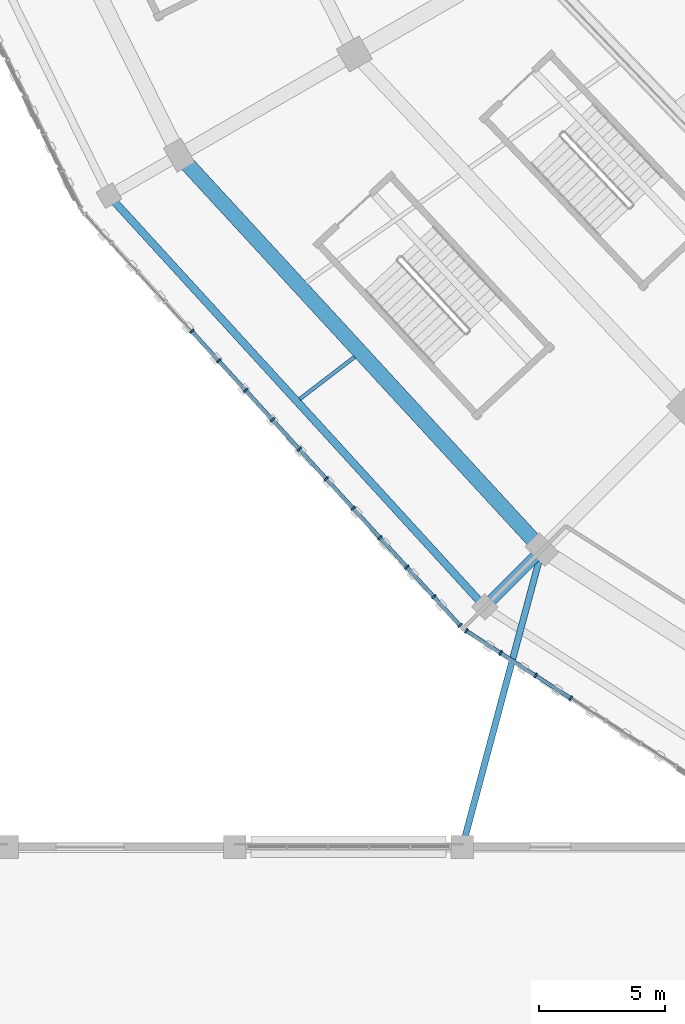
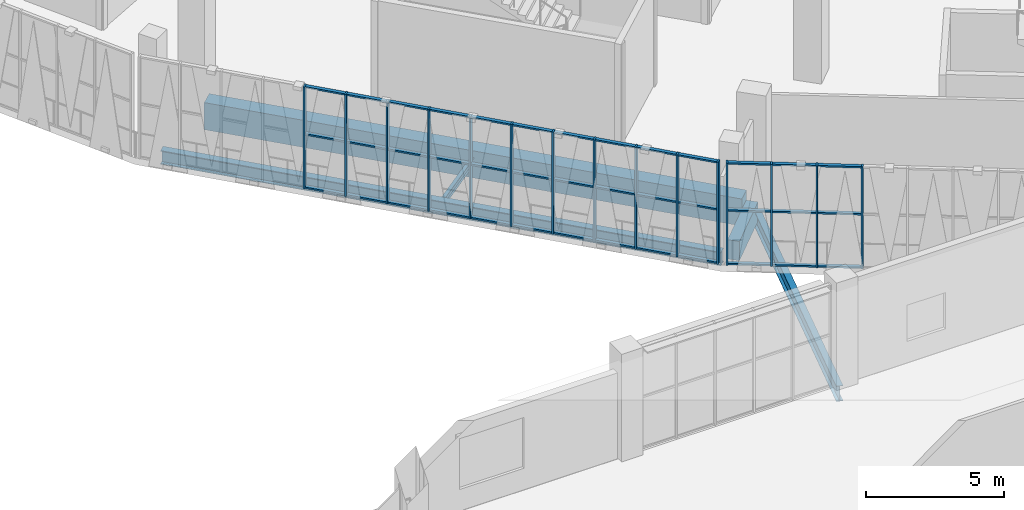
# One storey, part 9 of 183: 54 members, 5 beams, 2 elements without a shape of their own.
"""IFC4 building model written with IfcOpenShell, lengths in metres."""

from ifc_helpers import new_model, si_unit, direction, frame, origin, origin_2d, place, context, subcontext, project, spatial, rectangle, i_section, extrude, material, material_profile, profile_set, type_object, element, aggregate, save


model = new_model("IFC4")

# Units and contexts
model_context = context("Model", 3, precision=1e-05, world=origin(), true_north=direction((0.0, 1.0)))
body_context = subcontext(model_context, "Body", "Model", "MODEL_VIEW")
ifc_project = project(units=[si_unit("LENGTHUNIT", "METRE"), si_unit("AREAUNIT", "SQUARE_METRE"), si_unit("VOLUMEUNIT", "CUBIC_METRE"), si_unit("PLANEANGLEUNIT", "RADIAN"), si_unit("MASSUNIT", "GRAM", prefix="KILO")], contexts=[model_context])

# Site, building, storey
site_placement = place(None, origin())
site = spatial("IfcSite", under=ifc_project, at=site_placement, CompositionType="ELEMENT")
building_placement = place(site_placement, origin())
building = spatial("IfcBuilding", under=site, at=building_placement, Name="Zevraka Park Crest Stadium", CompositionType="ELEMENT")
storey_placement = place(building_placement, frame((0.0, 0.0, 5.39990234375)))
storey = spatial("IfcBuildingStorey", under=building, at=storey_placement, Name="L01", CompositionType="ELEMENT", Elevation=5.39990234375)

# Beams
ifc_material_1 = material(Name="Concrete C40/50", Category="concrete")
ifc_material_profile_1 = material_profile(ifc_material_1, rectangle(XDim=0.449951171875, YDim=0.85009765625, at=origin_2d()), Name="RC 850x450")
ifc_profile_set_1 = profile_set([ifc_material_profile_1], Name="Concrete C40/50")
beam_type_1 = type_object("IfcBeamType", Name="BG03", PredefinedType="BEAM", material=ifc_profile_set_1)
beam_1_placement = place(storey_placement, frame((47.93603515625, 38.54296875, -0.434814453125), z_axis=(-0.706965918589, -0.707247615728, 0.0), x_axis=(0.707247615728, -0.706965918589, 0.0)))
element("IfcBeam", 1, at=beam_1_placement, inside=storey, type_object=beam_type_1, Name="Radial Girder BG03 L01-DE-15", PredefinedType="BEAM", context=body_context, shape_type="SweptSolid", body=[
    extrude(rectangle(XDim=0.449951171875, YDim=0.85009765625, at=origin_2d()), origin(), (0.0, 0.0, 1.0), 2.60009765625),
])
ifc_material_2 = material(Name="Steel S355", Category="steel")
ifc_material_profile_2 = material_profile(ifc_material_2, i_section(OverallWidth=0.253662109375, OverallDepth=0.68359375, WebThickness=0.012451171875, FlangeThickness=0.01904296875, at=origin_2d()), Name="UKB 686x254x140")
ifc_profile_set_2 = profile_set([ifc_material_profile_2], Name="Steel S355")
beam_type_2 = type_object("IfcBeamType", Name="BG05", PredefinedType="BEAM", material=ifc_profile_set_2)
beam_2_placement = place(storey_placement, frame((45.052001953125, 27.193115234375, -0.649658203125), z_axis=(0.25869045552, 0.96596027259, 0.0), x_axis=(-0.96596027259, 0.25869045552, 0.0)))
element("IfcBeam", 2, at=beam_2_placement, inside=storey, type_object=beam_type_2, Name="Wing Link Girder BG05 L01-6/D", PredefinedType="BEAM", context=body_context, shape_type="SweptSolid", body=[
    extrude(i_section(OverallWidth=0.253662109375, OverallDepth=0.68359375, WebThickness=0.012451171875, FlangeThickness=0.01904296875, at=origin_2d()), origin(), (0.0, 0.0, 1.0), 11.58935546875),
])

# Curtain wall, members
ifc_material_3 = material(Name="Anodised architectural aluminium and laminated safety glass", Category="aluminium")
curtain_wall_type = type_object("IfcCurtainWallType", Name="CW03", PredefinedType="NOTDEFINED", material=ifc_material_3)
curtain_wall_1_placement = place(storey_placement, origin())
curtain_wall_1 = element("IfcCurtainWall", 3, at=curtain_wall_1_placement, inside=storey, type_object=curtain_wall_type, Name="Unitised Ring Curtain Wall CW03 L01-14", PredefinedType="NOTDEFINED")
ifc_material_4 = material(Name="Anodised architectural aluminium", Category="aluminium")
ifc_material_profile_3 = material_profile(ifc_material_4, rectangle(XDim=0.199951171875, YDim=0.070068359375, at=origin_2d()), Name="ALU MULLION 200x70")
ifc_profile_set_3 = profile_set([ifc_material_profile_3], Name="Anodised architectural aluminium")
member_type_1 = type_object("IfcMemberType", Name="CM03", PredefinedType="MULLION", material=ifc_profile_set_3)
member_1_placement = place(storey_placement, frame((34.3046875, 47.38720703125, 0.0), z_axis=(0.0, 0.0, 1.0), x_axis=(0.739023476371, 0.673679672672, 0.0)))
member_1 = element("IfcMember", 4, at=member_1_placement, type_object=member_type_1, Name="CW03 mullion 5", PredefinedType="MULLION", context=body_context, shape_type="SweptSolid", body=[
    extrude(rectangle(XDim=0.199951171875, YDim=0.070068359375, at=origin_2d()), origin(), (0.0, 0.0, 1.0), 4.52001953125),
])
member_2_placement = place(storey_placement, frame((35.3671875, 46.221435546875, 0.0), z_axis=(0.0, 0.0, 1.0), x_axis=(0.739023476371, 0.673679672672, 0.0)))
member_2 = element("IfcMember", 5, at=member_2_placement, type_object=member_type_1, Name="CW03 mullion 6", PredefinedType="MULLION", context=body_context, shape_type="SweptSolid", body=[
    extrude(rectangle(XDim=0.199951171875, YDim=0.070068359375, at=origin_2d()), origin(), (0.0, 0.0, 1.0), 4.52001953125),
])
member_3_placement = place(storey_placement, frame((36.429931640625, 45.0556640625, 0.0), z_axis=(0.0, 0.0, 1.0), x_axis=(0.739023476371, 0.673679672672, 0.0)))
member_3 = element("IfcMember", 6, at=member_3_placement, type_object=member_type_1, Name="CW03 mullion 7", PredefinedType="MULLION", context=body_context, shape_type="SweptSolid", body=[
    extrude(rectangle(XDim=0.199951171875, YDim=0.070068359375, at=origin_2d()), origin(), (0.0, 0.0, 1.0), 4.52001953125),
])
member_4_placement = place(storey_placement, frame((37.492431640625, 43.889892578125, 0.0), z_axis=(0.0, 0.0, 1.0), x_axis=(0.739023476371, 0.673679672672, 0.0)))
member_4 = element("IfcMember", 7, at=member_4_placement, type_object=member_type_1, Name="CW03 mullion 8", PredefinedType="MULLION", context=body_context, shape_type="SweptSolid", body=[
    extrude(rectangle(XDim=0.199951171875, YDim=0.070068359375, at=origin_2d()), origin(), (0.0, 0.0, 1.0), 4.52001953125),
])
member_5_placement = place(storey_placement, frame((38.55517578125, 42.724365234375, 0.0), z_axis=(0.0, 0.0, 1.0), x_axis=(0.739023476371, 0.673679672672, 0.0)))
member_5 = element("IfcMember", 8, at=member_5_placement, type_object=member_type_1, Name="CW03 mullion 9", PredefinedType="MULLION", context=body_context, shape_type="SweptSolid", body=[
    extrude(rectangle(XDim=0.199951171875, YDim=0.070068359375, at=origin_2d()), origin(), (0.0, 0.0, 1.0), 4.52001953125),
])
member_6_placement = place(storey_placement, frame((39.61767578125, 41.55859375, 0.0), z_axis=(0.0, 0.0, 1.0), x_axis=(0.739023476371, 0.673679672672, 0.0)))
member_6 = element("IfcMember", 9, at=member_6_placement, type_object=member_type_1, Name="CW03 mullion 10", PredefinedType="MULLION", context=body_context, shape_type="SweptSolid", body=[
    extrude(rectangle(XDim=0.199951171875, YDim=0.070068359375, at=origin_2d()), origin(), (0.0, 0.0, 1.0), 4.52001953125),
])
member_7_placement = place(storey_placement, frame((40.680419921875, 40.392822265625, 0.0), z_axis=(0.0, 0.0, 1.0), x_axis=(0.739023476371, 0.673679672672, 0.0)))
member_7 = element("IfcMember", 10, at=member_7_placement, type_object=member_type_1, Name="CW03 mullion 11", PredefinedType="MULLION", context=body_context, shape_type="SweptSolid", body=[
    extrude(rectangle(XDim=0.199951171875, YDim=0.070068359375, at=origin_2d()), origin(), (0.0, 0.0, 1.0), 4.52001953125),
])
member_8_placement = place(storey_placement, frame((41.7431640625, 39.22705078125, 0.0), z_axis=(0.0, 0.0, 1.0), x_axis=(0.739023476371, 0.673679672672, 0.0)))
member_8 = element("IfcMember", 11, at=member_8_placement, type_object=member_type_1, Name="CW03 mullion 12", PredefinedType="MULLION", context=body_context, shape_type="SweptSolid", body=[
    extrude(rectangle(XDim=0.199951171875, YDim=0.070068359375, at=origin_2d()), origin(), (0.0, 0.0, 1.0), 4.52001953125),
])
member_9_placement = place(storey_placement, frame((42.8056640625, 38.0615234375, 0.0), z_axis=(0.0, 0.0, 1.0), x_axis=(0.739023476371, 0.673679672672, 0.0)))
member_9 = element("IfcMember", 12, at=member_9_placement, type_object=member_type_1, Name="CW03 mullion 13", PredefinedType="MULLION", context=body_context, shape_type="SweptSolid", body=[
    extrude(rectangle(XDim=0.199951171875, YDim=0.070068359375, at=origin_2d()), origin(), (0.0, 0.0, 1.0), 4.52001953125),
])
member_10_placement = place(storey_placement, frame((43.868408203125, 36.895751953125, 0.0), z_axis=(0.0, 0.0, 1.0), x_axis=(0.739023476371, 0.673679672672, 0.0)))
member_10 = element("IfcMember", 13, at=member_10_placement, type_object=member_type_1, Name="CW03 mullion 14", PredefinedType="MULLION", context=body_context, shape_type="SweptSolid", body=[
    extrude(rectangle(XDim=0.199951171875, YDim=0.070068359375, at=origin_2d()), origin(), (0.0, 0.0, 1.0), 4.52001953125),
])
member_11_placement = place(storey_placement, frame((44.907470703125, 35.755859375, 0.0), z_axis=(0.0, 0.0, 1.0), x_axis=(0.739023476371, 0.673679672672, 0.0)))
member_11 = element("IfcMember", 14, at=member_11_placement, type_object=member_type_1, Name="CW03 mullion 15", PredefinedType="MULLION", context=body_context, shape_type="SweptSolid", body=[
    extrude(rectangle(XDim=0.199951171875, YDim=0.070068359375, at=origin_2d()), origin(), (0.0, 0.0, 1.0), 4.52001953125),
])

curtain_wall_2_placement = place(storey_placement, origin())
curtain_wall_2 = element("IfcCurtainWall", 15, at=curtain_wall_2_placement, inside=storey, type_object=curtain_wall_type, Name="Unitised Ring Curtain Wall CW03 L01-15", PredefinedType="NOTDEFINED")
member_12_placement = place(storey_placement, frame((45.156494140625, 35.544921875, 0.0), z_axis=(0.0, 0.0, 1.0), x_axis=(0.542570628938, 0.840010186018, 0.0)))
member_12 = element("IfcMember", 16, at=member_12_placement, type_object=member_type_1, Name="CW03 mullion 1", PredefinedType="MULLION", context=body_context, shape_type="SweptSolid", body=[
    extrude(rectangle(XDim=0.199951171875, YDim=0.070068359375, at=origin_2d()), origin(), (0.0, 0.0, 1.0), 4.52001953125),
])
member_13_placement = place(storey_placement, frame((46.5126953125, 34.6689453125, 0.0), z_axis=(0.0, 0.0, 1.0), x_axis=(0.542570628938, 0.840010186018, 0.0)))
member_13 = element("IfcMember", 17, at=member_13_placement, type_object=member_type_1, Name="CW03 mullion 2", PredefinedType="MULLION", context=body_context, shape_type="SweptSolid", body=[
    extrude(rectangle(XDim=0.199951171875, YDim=0.070068359375, at=origin_2d()), origin(), (0.0, 0.0, 1.0), 4.52001953125),
])
member_14_placement = place(storey_placement, frame((47.898193359375, 33.77392578125, 0.0), z_axis=(0.0, 0.0, 1.0), x_axis=(0.542570628938, 0.840010186018, 0.0)))
member_14 = element("IfcMember", 18, at=member_14_placement, type_object=member_type_1, Name="CW03 mullion 3", PredefinedType="MULLION", context=body_context, shape_type="SweptSolid", body=[
    extrude(rectangle(XDim=0.199951171875, YDim=0.070068359375, at=origin_2d()), origin(), (0.0, 0.0, 1.0), 4.52001953125),
])
member_15_placement = place(storey_placement, frame((49.283935546875, 32.87890625, 0.0), z_axis=(0.0, 0.0, 1.0), x_axis=(0.542570628938, 0.840010186018, 0.0)))
member_15 = element("IfcMember", 19, at=member_15_placement, type_object=member_type_1, Name="CW03 mullion 4", PredefinedType="MULLION", context=body_context, shape_type="SweptSolid", body=[
    extrude(rectangle(XDim=0.199951171875, YDim=0.070068359375, at=origin_2d()), origin(), (0.0, 0.0, 1.0), 4.52001953125),
])

# Member
ifc_material_5 = material(Name="Anodised architectural aluminium", Category="aluminium")
ifc_material_profile_4 = material_profile(ifc_material_5, rectangle(XDim=0.14990234375, YDim=0.070068359375, at=origin_2d()), Name="ALU TRANSOM 150x70")
ifc_profile_set_4 = profile_set([ifc_material_profile_4], Name="Anodised architectural aluminium")
member_type_2 = type_object("IfcMemberType", Name="CT03", PredefinedType="USERDEFINED", material=ifc_profile_set_4)
member_16_placement = place(storey_placement, frame((34.328125, 47.361328125, 0.03515625), z_axis=(0.673720043681, -0.738986672913, 0.0), x_axis=(0.738986672913, 0.673720043681, 0.0)))
member_16 = element("IfcMember", 20, at=member_16_placement, type_object=member_type_2, Name="CW03 transom 5.1", ObjectType="TRANSOM", PredefinedType="USERDEFINED", context=body_context, shape_type="SweptSolid", body=[
    extrude(rectangle(XDim=0.14990234375, YDim=0.070068359375, at=origin_2d()), origin(), (0.0, 0.0, 1.0), 1.507568359375),
])

member_17_placement = place(storey_placement, frame((34.328125, 47.361328125, 2.400146484375), z_axis=(0.673720043681, -0.738986672913, 0.0), x_axis=(0.738986672913, 0.673720043681, 0.0)))
member_17 = element("IfcMember", 21, at=member_17_placement, type_object=member_type_2, Name="CW03 transom 5.2", ObjectType="TRANSOM", PredefinedType="USERDEFINED", context=body_context, shape_type="SweptSolid", body=[
    extrude(rectangle(XDim=0.14990234375, YDim=0.070068359375, at=origin_2d()), origin(), (0.0, 0.0, 1.0), 1.507568359375),
])

member_18_placement = place(storey_placement, frame((34.328125, 47.361328125, 4.485107421875), z_axis=(0.673720043681, -0.738986672913, 0.0), x_axis=(0.738986672913, 0.673720043681, 0.0)))
member_18 = element("IfcMember", 22, at=member_18_placement, type_object=member_type_2, Name="CW03 transom 5.3", ObjectType="TRANSOM", PredefinedType="USERDEFINED", context=body_context, shape_type="SweptSolid", body=[
    extrude(rectangle(XDim=0.14990234375, YDim=0.070068359375, at=origin_2d()), origin(), (0.0, 0.0, 1.0), 1.507568359375),
])

member_19_placement = place(storey_placement, frame((35.390869140625, 46.195556640625, 0.03515625), z_axis=(0.673631587043, -0.739067307448, 0.0), x_axis=(0.739067307448, 0.673631587043, 0.0)))
member_19 = element("IfcMember", 23, at=member_19_placement, type_object=member_type_2, Name="CW03 transom 6.1", ObjectType="TRANSOM", PredefinedType="USERDEFINED", context=body_context, shape_type="SweptSolid", body=[
    extrude(rectangle(XDim=0.14990234375, YDim=0.070068359375, at=origin_2d()), origin(), (0.0, 0.0, 1.0), 1.50732421875),
])

member_20_placement = place(storey_placement, frame((35.390869140625, 46.195556640625, 2.400146484375), z_axis=(0.673631587043, -0.739067307448, 0.0), x_axis=(0.739067307448, 0.673631587043, 0.0)))
member_20 = element("IfcMember", 24, at=member_20_placement, type_object=member_type_2, Name="CW03 transom 6.2", ObjectType="TRANSOM", PredefinedType="USERDEFINED", context=body_context, shape_type="SweptSolid", body=[
    extrude(rectangle(XDim=0.14990234375, YDim=0.070068359375, at=origin_2d()), origin(), (0.0, 0.0, 1.0), 1.50732421875),
])

member_21_placement = place(storey_placement, frame((35.390869140625, 46.195556640625, 4.485107421875), z_axis=(0.673631587043, -0.739067307448, 0.0), x_axis=(0.739067307448, 0.673631587043, 0.0)))
member_21 = element("IfcMember", 25, at=member_21_placement, type_object=member_type_2, Name="CW03 transom 6.3", ObjectType="TRANSOM", PredefinedType="USERDEFINED", context=body_context, shape_type="SweptSolid", body=[
    extrude(rectangle(XDim=0.14990234375, YDim=0.070068359375, at=origin_2d()), origin(), (0.0, 0.0, 1.0), 1.50732421875),
])

member_22_placement = place(storey_placement, frame((36.453369140625, 45.02978515625, 0.03515625), z_axis=(0.673720043681, -0.738986672913, 0.0), x_axis=(0.738986672913, 0.673720043681, 0.0)))
member_22 = element("IfcMember", 26, at=member_22_placement, type_object=member_type_2, Name="CW03 transom 7.1", ObjectType="TRANSOM", PredefinedType="USERDEFINED", context=body_context, shape_type="SweptSolid", body=[
    extrude(rectangle(XDim=0.14990234375, YDim=0.070068359375, at=origin_2d()), origin(), (0.0, 0.0, 1.0), 1.507568359375),
])

member_23_placement = place(storey_placement, frame((36.453369140625, 45.02978515625, 2.400146484375), z_axis=(0.673720043681, -0.738986672913, 0.0), x_axis=(0.738986672913, 0.673720043681, 0.0)))
member_23 = element("IfcMember", 27, at=member_23_placement, type_object=member_type_2, Name="CW03 transom 7.2", ObjectType="TRANSOM", PredefinedType="USERDEFINED", context=body_context, shape_type="SweptSolid", body=[
    extrude(rectangle(XDim=0.14990234375, YDim=0.070068359375, at=origin_2d()), origin(), (0.0, 0.0, 1.0), 1.507568359375),
])

member_24_placement = place(storey_placement, frame((36.453369140625, 45.02978515625, 4.485107421875), z_axis=(0.673720043681, -0.738986672913, 0.0), x_axis=(0.738986672913, 0.673720043681, 0.0)))
member_24 = element("IfcMember", 28, at=member_24_placement, type_object=member_type_2, Name="CW03 transom 7.3", ObjectType="TRANSOM", PredefinedType="USERDEFINED", context=body_context, shape_type="SweptSolid", body=[
    extrude(rectangle(XDim=0.14990234375, YDim=0.070068359375, at=origin_2d()), origin(), (0.0, 0.0, 1.0), 1.507568359375),
])

member_25_placement = place(storey_placement, frame((37.51611328125, 43.864013671875, 0.03515625), z_axis=(0.673712230725, -0.73899379576, 0.0), x_axis=(0.73899379576, 0.673712230725, 0.0)))
member_25 = element("IfcMember", 29, at=member_25_placement, type_object=member_type_2, Name="CW03 transom 8.1", ObjectType="TRANSOM", PredefinedType="USERDEFINED", context=body_context, shape_type="SweptSolid", body=[
    extrude(rectangle(XDim=0.14990234375, YDim=0.070068359375, at=origin_2d()), origin(), (0.0, 0.0, 1.0), 1.507080078125),
])

member_26_placement = place(storey_placement, frame((37.51611328125, 43.864013671875, 2.400146484375), z_axis=(0.673712230725, -0.73899379576, 0.0), x_axis=(0.73899379576, 0.673712230725, 0.0)))
member_26 = element("IfcMember", 30, at=member_26_placement, type_object=member_type_2, Name="CW03 transom 8.2", ObjectType="TRANSOM", PredefinedType="USERDEFINED", context=body_context, shape_type="SweptSolid", body=[
    extrude(rectangle(XDim=0.14990234375, YDim=0.070068359375, at=origin_2d()), origin(), (0.0, 0.0, 1.0), 1.507080078125),
])

member_27_placement = place(storey_placement, frame((37.51611328125, 43.864013671875, 4.485107421875), z_axis=(0.673712230725, -0.73899379576, 0.0), x_axis=(0.73899379576, 0.673712230725, 0.0)))
member_27 = element("IfcMember", 31, at=member_27_placement, type_object=member_type_2, Name="CW03 transom 8.3", ObjectType="TRANSOM", PredefinedType="USERDEFINED", context=body_context, shape_type="SweptSolid", body=[
    extrude(rectangle(XDim=0.14990234375, YDim=0.070068359375, at=origin_2d()), origin(), (0.0, 0.0, 1.0), 1.507080078125),
])

member_28_placement = place(storey_placement, frame((38.57861328125, 42.698486328125, 0.03515625), z_axis=(0.673720043681, -0.738986672913, 0.0), x_axis=(0.738986672913, 0.673720043681, 0.0)))
member_28 = element("IfcMember", 32, at=member_28_placement, type_object=member_type_2, Name="CW03 transom 9.1", ObjectType="TRANSOM", PredefinedType="USERDEFINED", context=body_context, shape_type="SweptSolid", body=[
    extrude(rectangle(XDim=0.14990234375, YDim=0.070068359375, at=origin_2d()), origin(), (0.0, 0.0, 1.0), 1.507568359375),
])

member_29_placement = place(storey_placement, frame((38.57861328125, 42.698486328125, 2.400146484375), z_axis=(0.673720043681, -0.738986672913, 0.0), x_axis=(0.738986672913, 0.673720043681, 0.0)))
member_29 = element("IfcMember", 33, at=member_29_placement, type_object=member_type_2, Name="CW03 transom 9.2", ObjectType="TRANSOM", PredefinedType="USERDEFINED", context=body_context, shape_type="SweptSolid", body=[
    extrude(rectangle(XDim=0.14990234375, YDim=0.070068359375, at=origin_2d()), origin(), (0.0, 0.0, 1.0), 1.507568359375),
])

member_30_placement = place(storey_placement, frame((38.57861328125, 42.698486328125, 4.485107421875), z_axis=(0.673720043681, -0.738986672913, 0.0), x_axis=(0.738986672913, 0.673720043681, 0.0)))
member_30 = element("IfcMember", 34, at=member_30_placement, type_object=member_type_2, Name="CW03 transom 9.3", ObjectType="TRANSOM", PredefinedType="USERDEFINED", context=body_context, shape_type="SweptSolid", body=[
    extrude(rectangle(XDim=0.14990234375, YDim=0.070068359375, at=origin_2d()), origin(), (0.0, 0.0, 1.0), 1.507568359375),
])

member_31_placement = place(storey_placement, frame((39.641357421875, 41.53271484375, 0.03515625), z_axis=(0.673631587043, -0.739067307448, 0.0), x_axis=(0.739067307448, 0.673631587043, 0.0)))
member_31 = element("IfcMember", 35, at=member_31_placement, type_object=member_type_2, Name="CW03 transom 10.1", ObjectType="TRANSOM", PredefinedType="USERDEFINED", context=body_context, shape_type="SweptSolid", body=[
    extrude(rectangle(XDim=0.14990234375, YDim=0.070068359375, at=origin_2d()), origin(), (0.0, 0.0, 1.0), 1.50732421875),
])

member_32_placement = place(storey_placement, frame((39.641357421875, 41.53271484375, 2.400146484375), z_axis=(0.673631587043, -0.739067307448, 0.0), x_axis=(0.739067307448, 0.673631587043, 0.0)))
member_32 = element("IfcMember", 36, at=member_32_placement, type_object=member_type_2, Name="CW03 transom 10.2", ObjectType="TRANSOM", PredefinedType="USERDEFINED", context=body_context, shape_type="SweptSolid", body=[
    extrude(rectangle(XDim=0.14990234375, YDim=0.070068359375, at=origin_2d()), origin(), (0.0, 0.0, 1.0), 1.50732421875),
])

member_33_placement = place(storey_placement, frame((39.641357421875, 41.53271484375, 4.485107421875), z_axis=(0.673631587043, -0.739067307448, 0.0), x_axis=(0.739067307448, 0.673631587043, 0.0)))
member_33 = element("IfcMember", 37, at=member_33_placement, type_object=member_type_2, Name="CW03 transom 10.3", ObjectType="TRANSOM", PredefinedType="USERDEFINED", context=body_context, shape_type="SweptSolid", body=[
    extrude(rectangle(XDim=0.14990234375, YDim=0.070068359375, at=origin_2d()), origin(), (0.0, 0.0, 1.0), 1.50732421875),
])

member_34_placement = place(storey_placement, frame((40.7041015625, 40.366943359375, 0.03515625), z_axis=(0.673631587043, -0.739067307448, 0.0), x_axis=(0.739067307448, 0.673631587043, 0.0)))
member_34 = element("IfcMember", 38, at=member_34_placement, type_object=member_type_2, Name="CW03 transom 11.1", ObjectType="TRANSOM", PredefinedType="USERDEFINED", context=body_context, shape_type="SweptSolid", body=[
    extrude(rectangle(XDim=0.14990234375, YDim=0.070068359375, at=origin_2d()), origin(), (0.0, 0.0, 1.0), 1.50732421875),
])

member_35_placement = place(storey_placement, frame((40.7041015625, 40.366943359375, 2.400146484375), z_axis=(0.673631587043, -0.739067307448, 0.0), x_axis=(0.739067307448, 0.673631587043, 0.0)))
member_35 = element("IfcMember", 39, at=member_35_placement, type_object=member_type_2, Name="CW03 transom 11.2", ObjectType="TRANSOM", PredefinedType="USERDEFINED", context=body_context, shape_type="SweptSolid", body=[
    extrude(rectangle(XDim=0.14990234375, YDim=0.070068359375, at=origin_2d()), origin(), (0.0, 0.0, 1.0), 1.50732421875),
])

member_36_placement = place(storey_placement, frame((40.7041015625, 40.366943359375, 4.485107421875), z_axis=(0.673631587043, -0.739067307448, 0.0), x_axis=(0.739067307448, 0.673631587043, 0.0)))
member_36 = element("IfcMember", 40, at=member_36_placement, type_object=member_type_2, Name="CW03 transom 11.3", ObjectType="TRANSOM", PredefinedType="USERDEFINED", context=body_context, shape_type="SweptSolid", body=[
    extrude(rectangle(XDim=0.14990234375, YDim=0.070068359375, at=origin_2d()), origin(), (0.0, 0.0, 1.0), 1.50732421875),
])

member_37_placement = place(storey_placement, frame((41.7666015625, 39.201171875, 0.03515625), z_axis=(0.673800680351, -0.738913149943, 0.0), x_axis=(0.738913149943, 0.673800680351, 0.0)))
member_37 = element("IfcMember", 41, at=member_37_placement, type_object=member_type_2, Name="CW03 transom 12.1", ObjectType="TRANSOM", PredefinedType="USERDEFINED", context=body_context, shape_type="SweptSolid", body=[
    extrude(rectangle(XDim=0.14990234375, YDim=0.070068359375, at=origin_2d()), origin(), (0.0, 0.0, 1.0), 1.50732421875),
])

member_38_placement = place(storey_placement, frame((41.7666015625, 39.201171875, 2.400146484375), z_axis=(0.673800680351, -0.738913149943, 0.0), x_axis=(0.738913149943, 0.673800680351, 0.0)))
member_38 = element("IfcMember", 42, at=member_38_placement, type_object=member_type_2, Name="CW03 transom 12.2", ObjectType="TRANSOM", PredefinedType="USERDEFINED", context=body_context, shape_type="SweptSolid", body=[
    extrude(rectangle(XDim=0.14990234375, YDim=0.070068359375, at=origin_2d()), origin(), (0.0, 0.0, 1.0), 1.50732421875),
])

member_39_placement = place(storey_placement, frame((41.7666015625, 39.201171875, 4.485107421875), z_axis=(0.673800680351, -0.738913149943, 0.0), x_axis=(0.738913149943, 0.673800680351, 0.0)))
member_39 = element("IfcMember", 43, at=member_39_placement, type_object=member_type_2, Name="CW03 transom 12.3", ObjectType="TRANSOM", PredefinedType="USERDEFINED", context=body_context, shape_type="SweptSolid", body=[
    extrude(rectangle(XDim=0.14990234375, YDim=0.070068359375, at=origin_2d()), origin(), (0.0, 0.0, 1.0), 1.50732421875),
])

member_40_placement = place(storey_placement, frame((42.829345703125, 38.03564453125, 0.03515625), z_axis=(0.673631587043, -0.739067307448, 0.0), x_axis=(0.739067307448, 0.673631587043, 0.0)))
member_40 = element("IfcMember", 44, at=member_40_placement, type_object=member_type_2, Name="CW03 transom 13.1", ObjectType="TRANSOM", PredefinedType="USERDEFINED", context=body_context, shape_type="SweptSolid", body=[
    extrude(rectangle(XDim=0.14990234375, YDim=0.070068359375, at=origin_2d()), origin(), (0.0, 0.0, 1.0), 1.50732421875),
])

member_41_placement = place(storey_placement, frame((42.829345703125, 38.03564453125, 2.400146484375), z_axis=(0.673631587043, -0.739067307448, 0.0), x_axis=(0.739067307448, 0.673631587043, 0.0)))
member_41 = element("IfcMember", 45, at=member_41_placement, type_object=member_type_2, Name="CW03 transom 13.2", ObjectType="TRANSOM", PredefinedType="USERDEFINED", context=body_context, shape_type="SweptSolid", body=[
    extrude(rectangle(XDim=0.14990234375, YDim=0.070068359375, at=origin_2d()), origin(), (0.0, 0.0, 1.0), 1.50732421875),
])

member_42_placement = place(storey_placement, frame((42.829345703125, 38.03564453125, 4.485107421875), z_axis=(0.673631587043, -0.739067307448, 0.0), x_axis=(0.739067307448, 0.673631587043, 0.0)))
member_42 = element("IfcMember", 46, at=member_42_placement, type_object=member_type_2, Name="CW03 transom 13.3", ObjectType="TRANSOM", PredefinedType="USERDEFINED", context=body_context, shape_type="SweptSolid", body=[
    extrude(rectangle(XDim=0.14990234375, YDim=0.070068359375, at=origin_2d()), origin(), (0.0, 0.0, 1.0), 1.50732421875),
])

member_43_placement = place(storey_placement, frame((43.891845703125, 36.869873046875, 0.03515625), z_axis=(0.673687280194, -0.739016541429, 0.0), x_axis=(0.739016541429, 0.673687280194, 0.0)))
member_43 = element("IfcMember", 47, at=member_43_placement, type_object=member_type_2, Name="CW03 transom 14.1", ObjectType="TRANSOM", PredefinedType="USERDEFINED", context=body_context, shape_type="SweptSolid", body=[
    extrude(rectangle(XDim=0.14990234375, YDim=0.070068359375, at=origin_2d()), origin(), (0.0, 0.0, 1.0), 1.472412109375),
])

member_44_placement = place(storey_placement, frame((43.891845703125, 36.869873046875, 2.400146484375), z_axis=(0.673687280194, -0.739016541429, 0.0), x_axis=(0.739016541429, 0.673687280194, 0.0)))
member_44 = element("IfcMember", 48, at=member_44_placement, type_object=member_type_2, Name="CW03 transom 14.2", ObjectType="TRANSOM", PredefinedType="USERDEFINED", context=body_context, shape_type="SweptSolid", body=[
    extrude(rectangle(XDim=0.14990234375, YDim=0.070068359375, at=origin_2d()), origin(), (0.0, 0.0, 1.0), 1.472412109375),
])

member_45_placement = place(storey_placement, frame((43.891845703125, 36.869873046875, 4.485107421875), z_axis=(0.673687280194, -0.739016541429, 0.0), x_axis=(0.739016541429, 0.673687280194, 0.0)))
member_45 = element("IfcMember", 49, at=member_45_placement, type_object=member_type_2, Name="CW03 transom 14.3", ObjectType="TRANSOM", PredefinedType="USERDEFINED", context=body_context, shape_type="SweptSolid", body=[
    extrude(rectangle(XDim=0.14990234375, YDim=0.070068359375, at=origin_2d()), origin(), (0.0, 0.0, 1.0), 1.472412109375),
])

aggregate(curtain_wall_1, [member_1, member_2, member_3, member_4, member_5, member_6, member_7, member_8, member_9, member_10, member_11, member_16, member_17, member_18, member_19, member_20, member_21, member_22, member_23, member_24, member_25, member_26, member_27, member_28, member_29, member_30, member_31, member_32, member_33, member_34, member_35, member_36, member_37, member_38, member_39, member_40, member_41, member_42, member_43, member_44, member_45])

member_46_placement = place(storey_placement, frame((45.185791015625, 35.526123046875, 0.03515625), z_axis=(0.839964330601, -0.542641615911, 0.0), x_axis=(0.542641615911, 0.839964330601, 0.0)))
member_46 = element("IfcMember", 50, at=member_46_placement, type_object=member_type_2, Name="CW03 transom 1.1", ObjectType="TRANSOM", PredefinedType="USERDEFINED", context=body_context, shape_type="SweptSolid", body=[
    extrude(rectangle(XDim=0.14990234375, YDim=0.070068359375, at=origin_2d()), origin(), (0.0, 0.0, 1.0), 1.54443359375),
])

member_47_placement = place(storey_placement, frame((45.185791015625, 35.526123046875, 2.400146484375), z_axis=(0.839964330601, -0.542641615911, 0.0), x_axis=(0.542641615911, 0.839964330601, 0.0)))
member_47 = element("IfcMember", 51, at=member_47_placement, type_object=member_type_2, Name="CW03 transom 1.2", ObjectType="TRANSOM", PredefinedType="USERDEFINED", context=body_context, shape_type="SweptSolid", body=[
    extrude(rectangle(XDim=0.14990234375, YDim=0.070068359375, at=origin_2d()), origin(), (0.0, 0.0, 1.0), 1.54443359375),
])

member_48_placement = place(storey_placement, frame((45.185791015625, 35.526123046875, 4.485107421875), z_axis=(0.839964330601, -0.542641615911, 0.0), x_axis=(0.542641615911, 0.839964330601, 0.0)))
member_48 = element("IfcMember", 52, at=member_48_placement, type_object=member_type_2, Name="CW03 transom 1.3", ObjectType="TRANSOM", PredefinedType="USERDEFINED", context=body_context, shape_type="SweptSolid", body=[
    extrude(rectangle(XDim=0.14990234375, YDim=0.070068359375, at=origin_2d()), origin(), (0.0, 0.0, 1.0), 1.54443359375),
])

member_49_placement = place(storey_placement, frame((46.5419921875, 34.64990234375, 0.03515625), z_axis=(0.840046715264, -0.542514070024, 0.0), x_axis=(0.542514070024, 0.840046715264, 0.0)))
member_49 = element("IfcMember", 53, at=member_49_placement, type_object=member_type_2, Name="CW03 transom 2.1", ObjectType="TRANSOM", PredefinedType="USERDEFINED", context=body_context, shape_type="SweptSolid", body=[
    extrude(rectangle(XDim=0.14990234375, YDim=0.070068359375, at=origin_2d()), origin(), (0.0, 0.0, 1.0), 1.57958984375),
])

member_50_placement = place(storey_placement, frame((46.5419921875, 34.64990234375, 2.400146484375), z_axis=(0.840046715264, -0.542514070024, 0.0), x_axis=(0.542514070024, 0.840046715264, 0.0)))
member_50 = element("IfcMember", 54, at=member_50_placement, type_object=member_type_2, Name="CW03 transom 2.2", ObjectType="TRANSOM", PredefinedType="USERDEFINED", context=body_context, shape_type="SweptSolid", body=[
    extrude(rectangle(XDim=0.14990234375, YDim=0.070068359375, at=origin_2d()), origin(), (0.0, 0.0, 1.0), 1.57958984375),
])

member_51_placement = place(storey_placement, frame((46.5419921875, 34.64990234375, 4.485107421875), z_axis=(0.840046715264, -0.542514070024, 0.0), x_axis=(0.542514070024, 0.840046715264, 0.0)))
member_51 = element("IfcMember", 55, at=member_51_placement, type_object=member_type_2, Name="CW03 transom 2.3", ObjectType="TRANSOM", PredefinedType="USERDEFINED", context=body_context, shape_type="SweptSolid", body=[
    extrude(rectangle(XDim=0.14990234375, YDim=0.070068359375, at=origin_2d()), origin(), (0.0, 0.0, 1.0), 1.57958984375),
])

member_52_placement = place(storey_placement, frame((47.927734375, 33.755126953125, 0.03515625), z_axis=(0.839976274256, -0.542623127675, 0.0), x_axis=(0.542623127675, 0.839976274256, 0.0)))
member_52 = element("IfcMember", 56, at=member_52_placement, type_object=member_type_2, Name="CW03 transom 3.1", ObjectType="TRANSOM", PredefinedType="USERDEFINED", context=body_context, shape_type="SweptSolid", body=[
    extrude(rectangle(XDim=0.14990234375, YDim=0.070068359375, at=origin_2d()), origin(), (0.0, 0.0, 1.0), 1.57958984375),
])

member_53_placement = place(storey_placement, frame((47.927734375, 33.755126953125, 2.400146484375), z_axis=(0.839976274256, -0.542623127675, 0.0), x_axis=(0.542623127675, 0.839976274256, 0.0)))
member_53 = element("IfcMember", 57, at=member_53_placement, type_object=member_type_2, Name="CW03 transom 3.2", ObjectType="TRANSOM", PredefinedType="USERDEFINED", context=body_context, shape_type="SweptSolid", body=[
    extrude(rectangle(XDim=0.14990234375, YDim=0.070068359375, at=origin_2d()), origin(), (0.0, 0.0, 1.0), 1.57958984375),
])

member_54_placement = place(storey_placement, frame((47.927734375, 33.755126953125, 4.485107421875), z_axis=(0.839976274256, -0.542623127675, 0.0), x_axis=(0.542623127675, 0.839976274256, 0.0)))
member_54 = element("IfcMember", 58, at=member_54_placement, type_object=member_type_2, Name="CW03 transom 3.3", ObjectType="TRANSOM", PredefinedType="USERDEFINED", context=body_context, shape_type="SweptSolid", body=[
    extrude(rectangle(XDim=0.14990234375, YDim=0.070068359375, at=origin_2d()), origin(), (0.0, 0.0, 1.0), 1.57958984375),
])

aggregate(curtain_wall_2, [member_12, member_13, member_14, member_15, member_46, member_47, member_48, member_49, member_50, member_51, member_52, member_53, member_54])

# Beams
ifc_material_6 = material(Name="Concrete C40/50", Category="concrete")
ifc_material_profile_5 = material_profile(ifc_material_6, rectangle(XDim=0.60009765625, YDim=1.199951171875, at=origin_2d()), Name="RC 1200x600")
ifc_profile_set_5 = profile_set([ifc_material_profile_5], Name="Concrete C40/50")
beam_type_3 = type_object("IfcBeamType", Name="RB01", PredefinedType="BEAM", material=ifc_profile_set_5)
beam_3_placement = place(storey_placement, frame((34.054931640625, 54.070068359375, -0.60986328125), z_axis=(0.677158252403, -0.735837414924, 0.0), x_axis=(0.735837414924, 0.677158252403, 0.0)))
element("IfcBeam", 59, at=beam_3_placement, inside=storey, type_object=beam_type_3, Name="Ring Beam RB01 L01-D-14", PredefinedType="BEAM", context=body_context, shape_type="SweptSolid", body=[
    extrude(rectangle(XDim=0.60009765625, YDim=1.199951171875, at=origin_2d()), origin(), (0.0, 0.0, 1.0), 20.4326171875),
])
ifc_material_7 = material(Name="Steel S355", Category="steel")
ifc_material_profile_6 = material_profile(ifc_material_7, i_section(OverallWidth=0.300048828125, OverallDepth=0.60009765625, WebThickness=0.015380859375, FlangeThickness=0.030029296875, at=origin_2d()), Name="HEB 600")
ifc_profile_set_6 = profile_set([ifc_material_profile_6], Name="Steel S355")
beam_type_4 = type_object("IfcBeamType", Name="RB03", PredefinedType="BEAM", material=ifc_profile_set_6)
beam_4_placement = place(storey_placement, frame((31.262939453125, 52.491943359375, -0.60498046875), z_axis=(0.674624342029, -0.738161227065, 0.0), x_axis=(0.738161227065, 0.674624342029, 0.0)))
element("IfcBeam", 60, at=beam_4_placement, inside=storey, type_object=beam_type_4, Name="Ring Beam RB03 L01-E-14", PredefinedType="BEAM", context=body_context, shape_type="SweptSolid", body=[
    extrude(i_section(OverallWidth=0.300048828125, OverallDepth=0.60009765625, WebThickness=0.015380859375, FlangeThickness=0.030029296875, at=origin_2d()), origin(), (0.0, 0.0, 1.0), 21.325927734375),
])
ifc_material_8 = material(Name="Steel S355", Category="steel")
ifc_material_profile_7 = material_profile(ifc_material_8, i_section(OverallWidth=0.14990234375, OverallDepth=0.300048828125, WebThickness=0.007080078125, FlangeThickness=0.0107421875, at=origin_2d()), Name="IPE 300")
ifc_profile_set_7 = profile_set([ifc_material_profile_7], Name="Steel S355")
beam_type_5 = type_object("IfcBeamType", Name="SJ01", PredefinedType="JOIST", material=ifc_profile_set_7)
beam_5_placement = place(storey_placement, frame((40.739013671875, 46.373046875, -0.4580078125), z_axis=(-0.793128631587, -0.609054163238, 0.0), x_axis=(0.609054163238, -0.793128631587, 0.0)))
element("IfcBeam", 61, at=beam_5_placement, inside=storey, type_object=beam_type_5, Name="Floor Joist SJ01 L01-DE-14-1", PredefinedType="JOIST", context=body_context, shape_type="SweptSolid", body=[
    extrude(i_section(OverallWidth=0.14990234375, OverallDepth=0.300048828125, WebThickness=0.007080078125, FlangeThickness=0.0107421875, at=origin_2d()), origin(), (0.0, 0.0, 1.0), 2.732177734375),
])

save(model, "model.ifc")
